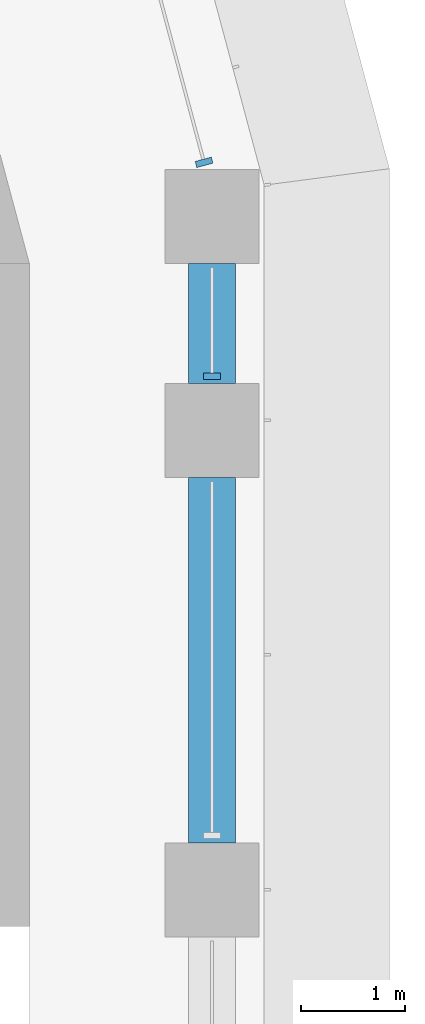
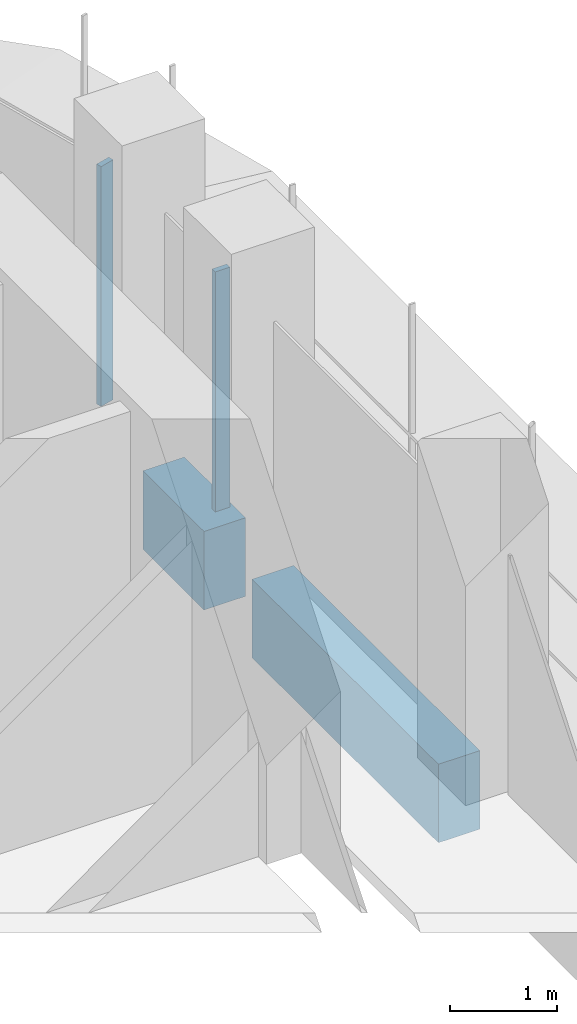
# One storey, part 9 of 21: 2 beams, 2 members, 2 elements without a shape of their own.
"""IFC4 building model written with IfcOpenShell, lengths in metres."""

from ifc_helpers import new_model, si_unit, direction, frame, origin, origin_2d, place, context, subcontext, project, spatial, polyline, rectangle, outline, extrude, source, transform, mapped, material, material_profile, profile_set, type_object, element, aggregate, save


model = new_model("IFC4")

# Units and contexts
model_context = context("Model", 3, precision=1e-05, world=origin(), true_north=direction((0.0, 1.0)))
body_context = subcontext(model_context, "Body", "Model", "MODEL_VIEW")
ifc_project = project(units=[si_unit("LENGTHUNIT", "METRE"), si_unit("AREAUNIT", "SQUARE_METRE"), si_unit("VOLUMEUNIT", "CUBIC_METRE"), si_unit("PLANEANGLEUNIT", "RADIAN"), si_unit("MASSUNIT", "GRAM", prefix="KILO")], contexts=[model_context])

# Site, building, storey
site_placement = place(None, origin())
site = spatial("IfcSite", under=ifc_project, at=site_placement, CompositionType="ELEMENT")
building_placement = place(site_placement, origin())
building = spatial("IfcBuilding", under=site, at=building_placement, Name="Zarbagh Exchange Tower", CompositionType="ELEMENT")
storey_placement = place(building_placement, frame((0.0, 0.0, 117.0)))
storey = spatial("IfcBuildingStorey", under=building, at=storey_placement, Name="L27", CompositionType="ELEMENT", Elevation=117.0)

# Beams
ifc_material_1 = material(Name="Concrete C60/75", Category="concrete")
ifc_material_profile = material_profile(ifc_material_1, rectangle(XDim=0.449951171875, YDim=0.89990234375, at=origin_2d()), Name="RC spandrel beam 450 x 900 C60/75")
ifc_profile_set = profile_set([ifc_material_profile], Name="Concrete C60/75")
beam_type = type_object("IfcBeamType", Name="RC spandrel beam 450 x 900 C60/75", PredefinedType="SPANDREL", material=ifc_profile_set)
beam_1_placement = place(storey_placement, frame((6.25, 26.25, -0.60009765625), z_axis=(0.0, -1.0, 0.0), x_axis=(1.0, 0.0, 0.0)))
element("IfcBeam", 1, at=beam_1_placement, inside=storey, type_object=beam_type, Name="RC spandrel beam", PredefinedType="SPANDREL", context=body_context, shape_type="SweptSolid", body=[
    extrude(rectangle(XDim=0.449951171875, YDim=0.89990234375, at=origin_2d()), origin(), (0.0, 0.0, 1.0), 1.14990234375),
])
beam_2_placement = place(storey_placement, frame((6.25, 24.199951171875, -0.60009765625), z_axis=(0.0, -1.0, 0.0), x_axis=(1.0, 0.0, 0.0)))
element("IfcBeam", 2, at=beam_2_placement, inside=storey, type_object=beam_type, Name="RC spandrel beam", PredefinedType="SPANDREL", context=body_context, shape_type="SweptSolid", body=[
    extrude(rectangle(XDim=0.449951171875, YDim=0.89990234375, at=origin_2d()), origin(), (0.0, 0.0, 1.0), 3.5),
])

# Curtain wall, member
ifc_material_2 = material(Name="Anodised aluminium frame and glazing", Category="aluminium")
curtain_wall_type = type_object("IfcCurtainWallType", Name="CWA Ribbon glazing, lower zones", PredefinedType="NOTDEFINED", material=ifc_material_2)
curtain_wall_1_placement = place(storey_placement, origin())
curtain_wall_1 = element("IfcCurtainWall", 3, at=curtain_wall_1_placement, inside=storey, type_object=curtain_wall_type, Name="CWA49 curtain wall", PredefinedType="NOTDEFINED")
ifc_material_3 = material(Name="Anodised aluminium frame", Category="aluminium")
member_type = type_object("IfcMemberType", Name="MUA Mullion, anodised aluminium frame", PredefinedType="MULLION", material=ifc_material_3)
shared_shape = source(origin(), body_context, "Body", "SweptSolid", [
    extrude(outline(polyline([(0.0, -0.080078125), (0.06005859375, -0.080078125), (0.06005859375, 0.080078125), (0.0, 0.080078125), (0.0, -0.080078125)])), origin(), (0.0, 0.0, 1.0), 2.75),
])
placement = place(storey_placement, origin())
member_1 = element("IfcMember", 4, at=placement, type_object=member_type, Name="CWA49 mullion 4.1", PredefinedType="MULLION", context=body_context, shape_type="MappedRepresentation", body=[
    mapped(shared_shape, transform((6.25, 25.14013671875, 0.0), x_axis=(0.0, 1.0, 0.0), y_axis=(-1.0, 0.0, 0.0), z_axis=(0.0, 0.0, 1.0))),
])
aggregate(curtain_wall_1, [member_1])

curtain_wall_2_placement = place(storey_placement, origin())
curtain_wall_2 = element("IfcCurtainWall", 5, at=curtain_wall_2_placement, inside=storey, type_object=curtain_wall_type, Name="CWA50 curtain wall", PredefinedType="NOTDEFINED")
member_2 = element("IfcMember", 6, at=placement, type_object=member_type, Name="CWA50 mullion 1.1", PredefinedType="MULLION", context=body_context, shape_type="MappedRepresentation", body=[
    mapped(shared_shape, transform((6.181396484375, 27.18994140625, 0.0), x_axis=(-0.258824779902, 0.965924289636, 0.0), y_axis=(-0.965924289636, -0.258824779902, 0.0), z_axis=(0.0, 0.0, 1.0))),
])
aggregate(curtain_wall_2, [member_2])

save(model, "model.ifc")
